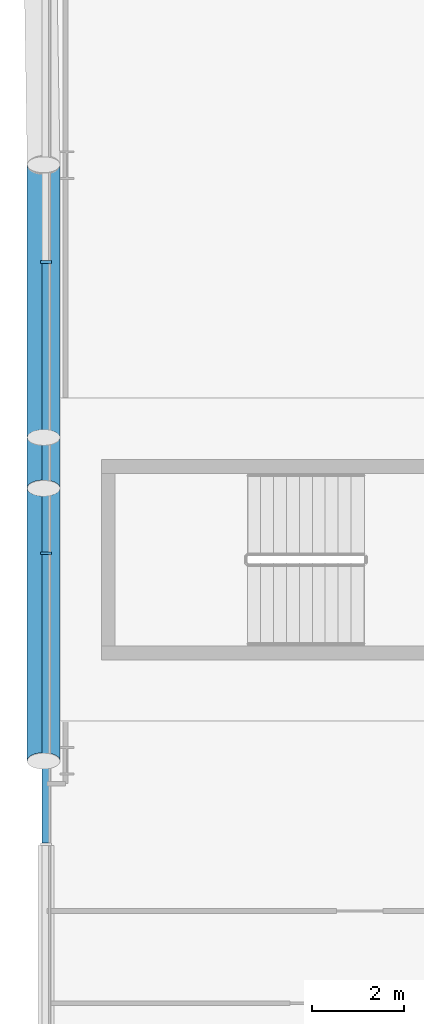
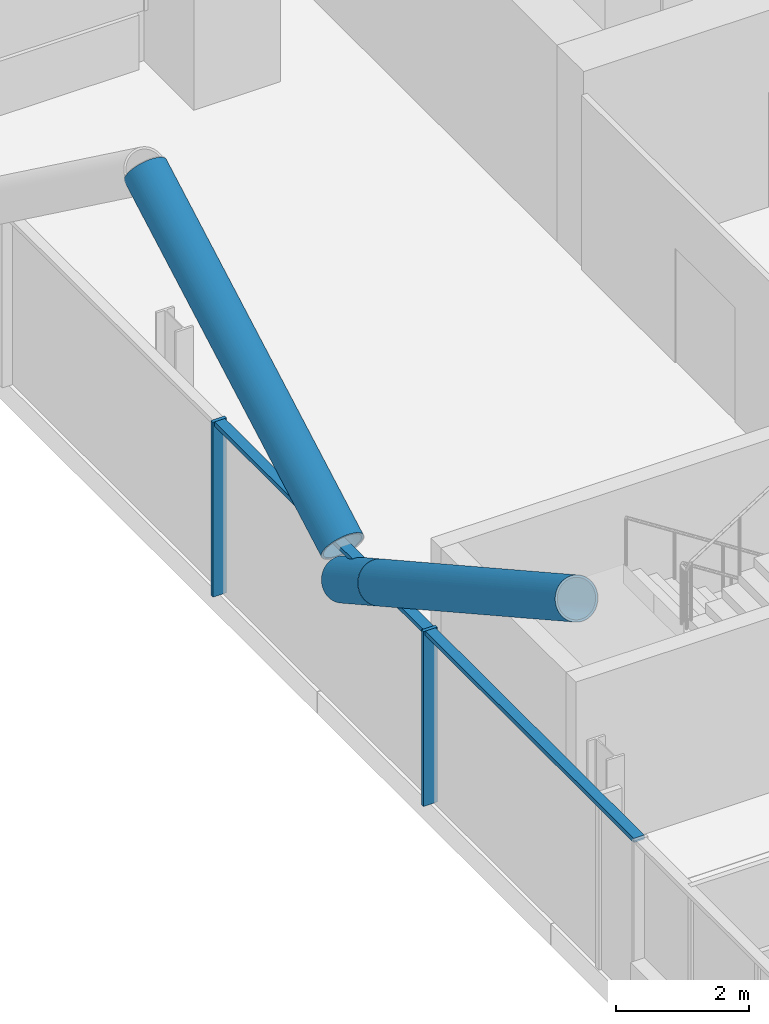
# One storey, part 7 of 30: 7 members, 1 element without a shape of its own.
"""IFC4 building model written with IfcOpenShell, lengths in metres."""

from ifc_helpers import new_model, si_unit, direction, frame, origin, origin_2d, place, context, subcontext, project, spatial, rectangle, hollow_circle, extrude, material, material_profile, profile_set, type_object, element, aggregate, save


model = new_model("IFC4")

# Units and contexts
model_context = context("Model", 3, precision=1e-05, world=origin(), true_north=direction((0.0, 1.0)))
body_context = subcontext(model_context, "Body", "Model", "MODEL_VIEW")
ifc_project = project(units=[si_unit("LENGTHUNIT", "METRE"), si_unit("AREAUNIT", "SQUARE_METRE"), si_unit("VOLUMEUNIT", "CUBIC_METRE"), si_unit("PLANEANGLEUNIT", "RADIAN"), si_unit("MASSUNIT", "GRAM", prefix="KILO")], contexts=[model_context])

# Site, building, storey
site_placement = place(None, origin())
site = spatial("IfcSite", under=ifc_project, at=site_placement, CompositionType="ELEMENT")
building_placement = place(site_placement, origin())
building = spatial("IfcBuilding", under=site, at=building_placement, Name="Wharfspan Tower", CompositionType="ELEMENT")
storey_placement = place(building_placement, frame((0.0, 0.0, 151.899902)))
storey = spatial("IfcBuildingStorey", under=building, at=storey_placement, Name="L36", CompositionType="ELEMENT", Elevation=151.899902)

# Member
ifc_material_1 = material(Name="Steel S460NH", Category="steel")
ifc_material_profile_1 = material_profile(ifc_material_1, hollow_circle(Radius=0.355469, WallThickness=0.035889, at=origin_2d()))
ifc_profile_set_1 = profile_set([ifc_material_profile_1], Name="Steel S460NH")
member_type_1 = type_object("IfcMemberType", Name="Brace node tie CHS 711x36", PredefinedType="STRUT", material=ifc_profile_set_1)
member_1_placement = place(storey_placement, frame((6.945068, 25.545654, 2.596436), z_axis=(0.0, -0.87377, 0.48634), x_axis=(1.0, 0.0, 0.0)))
element("IfcMember", 1, at=member_1_placement, inside=storey, type_object=member_type_1, Name="Brace node tie L36 W3", PredefinedType="STRUT", context=body_context, shape_type="SweptSolid", body=[
    extrude(hollow_circle(Radius=0.355469, WallThickness=0.035889, at=origin_2d()), origin(), (0.0, 0.0, 1.0), 1.249023),
])

# Curtain wall, members
ifc_material_2 = material(Name="Aluminium 6063-T6", Category="aluminium")
curtain_wall_type = type_object("IfcCurtainWallType", Name="CURTAIN WALL PROW AND END", PredefinedType="NOTDEFINED", material=ifc_material_2)
curtain_wall_placement = place(storey_placement, origin())
curtain_wall = element("IfcCurtainWall", 2, at=curtain_wall_placement, inside=storey, type_object=curtain_wall_type, Name="Curtain wall W", PredefinedType="NOTDEFINED")
ifc_material_profile_2 = material_profile(ifc_material_2, rectangle(XDim=0.23999, YDim=0.060059, at=origin_2d()))
ifc_profile_set_2 = profile_set([ifc_material_profile_2], Name="Aluminium 6063-T6")
member_type_2 = type_object("IfcMemberType", Name="MULLION PROW AND END 60x240", PredefinedType="MULLION", material=ifc_profile_set_2)
member_2_placement = place(storey_placement, frame((7.0, 29.360107, 0.0), z_axis=(0.0, 0.0, 1.0), x_axis=(1.0, 0.0, 0.0)))
member_2 = element("IfcMember", 3, at=member_2_placement, type_object=member_type_2, Name="Curtain wall W mullion 3", PredefinedType="MULLION", context=body_context, shape_type="SweptSolid", body=[
    extrude(rectangle(XDim=0.23999, YDim=0.060059, at=origin_2d()), origin(), (0.0, 0.0, 1.0), 3.200195),
])
member_3_placement = place(storey_placement, frame((7.0, 23.040039, 0.0), z_axis=(0.0, 0.0, 1.0), x_axis=(1.0, 0.0, 0.0)))
member_3 = element("IfcMember", 4, at=member_3_placement, type_object=member_type_2, Name="Curtain wall W mullion 4", PredefinedType="MULLION", context=body_context, shape_type="SweptSolid", body=[
    extrude(rectangle(XDim=0.23999, YDim=0.060059, at=origin_2d()), origin(), (0.0, 0.0, 1.0), 3.200195),
])

# Members
ifc_material_profile_3 = material_profile(ifc_material_1, hollow_circle(Radius=0.355469, WallThickness=0.035889, at=origin_2d()))
ifc_profile_set_3 = profile_set([ifc_material_profile_3], Name="Steel S460NH")
member_type_3 = type_object("IfcMemberType", Name="Mega brace CHS 711x36", PredefinedType="BRACE", material=ifc_profile_set_3)
for number, where, z_axis, x_axis, name in (
    (5, (6.945068, 24.445557, 3.20874), (0.0, -0.873733, 0.486406), (1.0, 0.0, 0.0), "Mega brace W3 L36 part 2"),
    (6, (6.945068, 25.554443, 3.20874), (0.0, 0.873733, 0.486406), (-1.0, 0.0, 0.0), "Mega brace W3 L36 part 4"),
):
    element("IfcMember", number, at=place(storey_placement, frame(where, z_axis=z_axis, x_axis=x_axis)), inside=storey, type_object=member_type_3, Name=name, PredefinedType="BRACE", context=body_context, shape_type="SweptSolid", body=[
        extrude(hollow_circle(Radius=0.355469, WallThickness=0.035889, at=origin_2d()), origin(), (0.0, 0.0, 1.0), 6.766602),
    ])

# Member
ifc_material_profile_4 = material_profile(ifc_material_2, rectangle(XDim=0.179932, YDim=0.080078, at=origin_2d()))
ifc_profile_set_4 = profile_set([ifc_material_profile_4], Name="Aluminium 6063-T6")
member_type_4 = type_object("IfcMemberType", Name="TRANSOM PROW AND END 80x180", PredefinedType="USERDEFINED", material=ifc_profile_set_4)
member_4_placement = place(storey_placement, frame((7.0, 29.330078, 3.160156), z_axis=(0.0, -1.0, 0.0), x_axis=(1.0, 0.0, 0.0)))
member_4 = element("IfcMember", 7, at=member_4_placement, type_object=member_type_4, Name="Curtain wall W transom 3", ObjectType="TRANSOM", PredefinedType="USERDEFINED", context=body_context, shape_type="SweptSolid", body=[
    extrude(rectangle(XDim=0.179932, YDim=0.080078, at=origin_2d()), origin(), (0.0, 0.0, 1.0), 6.26001),
])

member_5_placement = place(storey_placement, frame((7.0, 23.01001, 3.160156), z_axis=(0.0, -1.0, 0.0), x_axis=(1.0, 0.0, 0.0)))
member_5 = element("IfcMember", 8, at=member_5_placement, type_object=member_type_4, Name="Curtain wall W transom 4", ObjectType="TRANSOM", PredefinedType="USERDEFINED", context=body_context, shape_type="SweptSolid", body=[
    extrude(rectangle(XDim=0.179932, YDim=0.080078, at=origin_2d()), origin(), (0.0, 0.0, 1.0), 6.26001),
])

aggregate(curtain_wall, [member_2, member_3, member_4, member_5])

save(model, "model.ifc")
